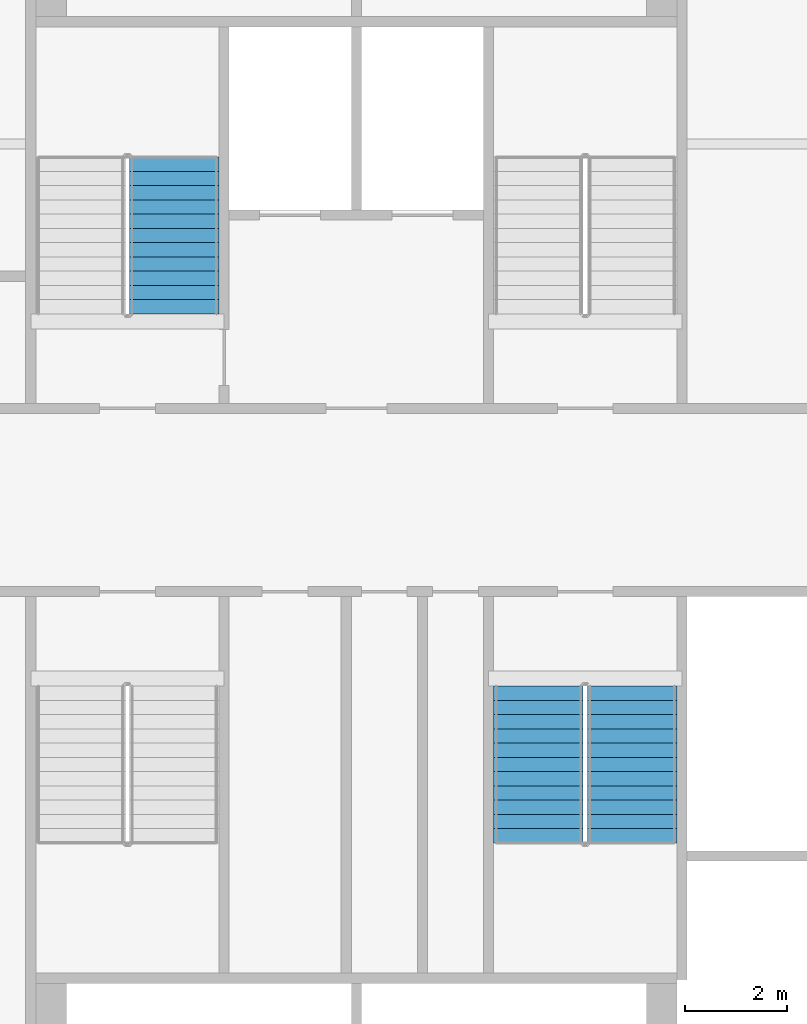
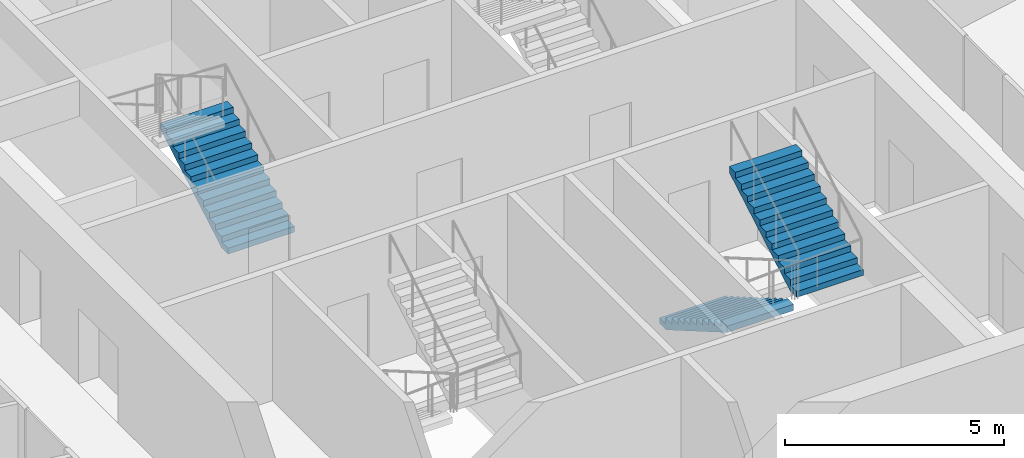
# One storey, part 8 of 11: 3 stair flights, 2 elements without a shape of their own.
"""IFC4 building model written with IfcOpenShell, lengths in metres."""

from ifc_helpers import new_model, si_unit, direction, frame, origin, place, context, subcontext, project, spatial, faceted_brep, material, type_object, element, aggregate, save


model = new_model("IFC4")

# Units and contexts
model_context = context("Model", 3, precision=1e-05, world=origin(), true_north=direction((0.0, 1.0)))
body_context = subcontext(model_context, "Body", "Model", "MODEL_VIEW")
ifc_project = project(units=[si_unit("LENGTHUNIT", "METRE"), si_unit("AREAUNIT", "SQUARE_METRE"), si_unit("VOLUMEUNIT", "CUBIC_METRE"), si_unit("PLANEANGLEUNIT", "RADIAN"), si_unit("MASSUNIT", "GRAM", prefix="KILO")], contexts=[model_context])

# Site, building, storey
site_placement = place(None, origin())
site = spatial("IfcSite", under=ifc_project, at=site_placement, CompositionType="ELEMENT")
building_placement = place(site_placement, origin())
building = spatial("IfcBuilding", under=site, at=building_placement, Name="Tarsis Ring Headquarters", CompositionType="ELEMENT")
storey_placement = place(building_placement, frame((0.0, 0.0, 243.300048828125)))
storey = spatial("IfcBuildingStorey", under=building, at=storey_placement, Name="L57", CompositionType="ELEMENT", Elevation=243.300048828125)

# Stair, stair flight
ifc_material_1 = material(Name="Core stair 1760")
stair_type = type_object("IfcStairType", Name="Core stair 1760", PredefinedType="HALF_TURN_STAIR", material=ifc_material_1)
stair_1_placement = place(storey_placement, origin())
stair_1 = element("IfcStair", 1, at=stair_1_placement, inside=storey, type_object=stair_type, Name="L57 Firefighting stair", PredefinedType="HALF_TURN_STAIR")
ifc_material_2 = material(Name="Concrete C40/50", Category="concrete")
stair_flight_type = type_object("IfcStairFlightType", Name="Core stair flight 1760", PredefinedType="STRAIGHT", material=ifc_material_2)
stair_flight_1_placement = place(storey_placement, frame((-3.580078125, 3.659912109375, 0.0), z_axis=(0.0, 0.0, 1.0), x_axis=(0.0, 1.0, 0.0)))
stair_flight_1 = element("IfcStairFlight", 2, at=stair_flight_1_placement, type_object=stair_flight_type, Name="Stair ST1 flight 1", NumberOfRisers=12, NumberOfTreads=11, PredefinedType="STRAIGHT", RiserHeight=0.1625, TreadLength=0.28, context=body_context, shape_type="Brep", body=[
    faceted_brep([(0.0, 0.8798828125, 0.0), (0.0, 0.8798828125, 0.16259765625), (0.280029296875, 0.8798828125, 0.16259765625), (0.280029296875, 0.8798828125, 0.324951171875), (0.56005859375, 0.8798828125, 0.324951171875), (0.56005859375, 0.8798828125, 0.487548828125), (0.840087890625, 0.8798828125, 0.487548828125), (0.840087890625, 0.8798828125, 0.64990234375), (1.1201171875, 0.8798828125, 0.64990234375), (1.1201171875, 0.8798828125, 0.8125), (1.39990234375, 0.8798828125, 0.8125), (1.39990234375, 0.8798828125, 0.97509765625), (1.679931640625, 0.8798828125, 0.97509765625), (1.679931640625, 0.8798828125, 1.137451171875), (1.9599609375, 0.8798828125, 1.137451171875), (1.9599609375, 0.8798828125, 1.300048828125), (2.239990234375, 0.8798828125, 1.300048828125), (2.239990234375, 0.8798828125, 1.46240234375), (2.52001953125, 0.8798828125, 1.46240234375), (2.52001953125, 0.8798828125, 1.625), (2.800048828125, 0.8798828125, 1.625), (2.800048828125, 0.8798828125, 1.78759765625), (3.080078125, 0.8798828125, 1.78759765625), (3.080078125, 0.8798828125, 1.6142578125), (0.298583984375, 0.8798828125, 0.0), (0.298583984375, -0.8798828125, 0.0), (3.080078125, -0.8798828125, 1.6142578125), (3.080078125, -0.8798828125, 1.78759765625), (2.800048828125, -0.8798828125, 1.78759765625), (2.800048828125, -0.8798828125, 1.625), (2.52001953125, -0.8798828125, 1.625), (2.52001953125, -0.8798828125, 1.46240234375), (2.239990234375, -0.8798828125, 1.46240234375), (2.239990234375, -0.8798828125, 1.300048828125), (1.9599609375, -0.8798828125, 1.300048828125), (1.9599609375, -0.8798828125, 1.137451171875), (1.679931640625, -0.8798828125, 1.137451171875), (1.679931640625, -0.8798828125, 0.97509765625), (1.39990234375, -0.8798828125, 0.97509765625), (1.39990234375, -0.8798828125, 0.8125), (1.1201171875, -0.8798828125, 0.8125), (1.1201171875, -0.8798828125, 0.64990234375), (0.840087890625, -0.8798828125, 0.64990234375), (0.840087890625, -0.8798828125, 0.487548828125), (0.56005859375, -0.8798828125, 0.487548828125), (0.56005859375, -0.8798828125, 0.324951171875), (0.280029296875, -0.8798828125, 0.324951171875), (0.280029296875, -0.8798828125, 0.16259765625), (0.0, -0.8798828125, 0.16259765625), (0.0, -0.8798828125, 0.0), (0.0, -0.43994140625, 0.16259765625), (0.0, -0.43994140625, 0.0), (0.0, 0.0, 0.16259765625), (0.0, 0.0, 0.0), (0.0, 0.43994140625, 0.16259765625), (0.0, 0.43994140625, 0.0), (0.280029296875, -0.43994140625, 0.16259765625), (0.280029296875, 0.0, 0.16259765625), (0.280029296875, 0.43994140625, 0.16259765625), (0.280029296875, -0.43994140625, 0.324951171875), (0.280029296875, 0.0, 0.324951171875), (0.280029296875, 0.43994140625, 0.324951171875), (0.56005859375, -0.43994140625, 0.324951171875), (0.56005859375, 0.0, 0.324951171875), (0.56005859375, 0.43994140625, 0.324951171875), (0.56005859375, -0.43994140625, 0.487548828125), (0.56005859375, 0.0, 0.487548828125), (0.56005859375, 0.43994140625, 0.487548828125), (0.840087890625, -0.43994140625, 0.487548828125), (0.840087890625, 0.0, 0.487548828125), (0.840087890625, 0.43994140625, 0.487548828125), (0.840087890625, -0.43994140625, 0.64990234375), (0.840087890625, 0.0, 0.64990234375), (0.840087890625, 0.43994140625, 0.64990234375), (1.1201171875, -0.43994140625, 0.64990234375), (1.1201171875, 0.0, 0.64990234375), (1.1201171875, 0.43994140625, 0.64990234375), (1.1201171875, -0.43994140625, 0.8125), (1.1201171875, 0.0, 0.8125), (1.1201171875, 0.43994140625, 0.8125), (1.39990234375, -0.43994140625, 0.8125), (1.39990234375, 0.0, 0.8125), (1.39990234375, 0.43994140625, 0.8125), (1.39990234375, -0.43994140625, 0.97509765625), (1.39990234375, 0.0, 0.97509765625), (1.39990234375, 0.43994140625, 0.97509765625), (1.679931640625, -0.43994140625, 0.97509765625), (1.679931640625, 0.0, 0.97509765625), (1.679931640625, 0.43994140625, 0.97509765625), (1.679931640625, -0.43994140625, 1.137451171875), (1.679931640625, 0.0, 1.137451171875), (1.679931640625, 0.43994140625, 1.137451171875), (1.9599609375, -0.43994140625, 1.137451171875), (1.9599609375, 0.0, 1.137451171875), (1.9599609375, 0.43994140625, 1.137451171875), (1.9599609375, -0.43994140625, 1.300048828125), (1.9599609375, 0.0, 1.300048828125), (1.9599609375, 0.43994140625, 1.300048828125), (2.239990234375, -0.43994140625, 1.300048828125), (2.239990234375, 0.0, 1.300048828125), (2.239990234375, 0.43994140625, 1.300048828125), (2.239990234375, -0.43994140625, 1.46240234375), (2.239990234375, 0.0, 1.46240234375), (2.239990234375, 0.43994140625, 1.46240234375), (2.52001953125, -0.43994140625, 1.46240234375), (2.52001953125, 0.0, 1.46240234375), (2.52001953125, 0.43994140625, 1.46240234375), (2.52001953125, -0.43994140625, 1.625), (2.52001953125, 0.0, 1.625), (2.52001953125, 0.43994140625, 1.625), (2.800048828125, -0.43994140625, 1.625), (2.800048828125, 0.0, 1.625), (2.800048828125, 0.43994140625, 1.625), (2.800048828125, -0.43994140625, 1.78759765625), (2.800048828125, 0.0, 1.78759765625), (2.800048828125, 0.43994140625, 1.78759765625), (3.080078125, -0.43994140625, 1.78759765625), (3.080078125, 0.0, 1.78759765625), (3.080078125, 0.43994140625, 1.78759765625), (3.080078125, -0.43994140625, 1.6142578125), (3.080078125, 0.0, 1.6142578125), (3.080078125, 0.43994140625, 1.6142578125), (0.298583984375, -0.43994140625, 0.0), (0.298583984375, 0.0, 0.0), (0.298583984375, 0.43994140625, 0.0)], [[[0, 1, 2, 3, 4, 5, 6, 7, 8, 9, 10, 11, 12, 13, 14, 15, 16, 17, 18, 19, 20, 21, 22, 23, 24]], [[25, 26, 27, 28, 29, 30, 31, 32, 33, 34, 35, 36, 37, 38, 39, 40, 41, 42, 43, 44, 45, 46, 47, 48, 49]], [[49, 48, 50, 51]], [[51, 50, 52, 53]], [[53, 52, 54, 55]], [[55, 54, 1, 0]], [[48, 47, 56, 50]], [[50, 56, 57, 52]], [[52, 57, 58, 54]], [[54, 58, 2, 1]], [[47, 46, 59, 56]], [[56, 59, 60, 57]], [[57, 60, 61, 58]], [[58, 61, 3, 2]], [[46, 45, 62, 59]], [[59, 62, 63, 60]], [[60, 63, 64, 61]], [[61, 64, 4, 3]], [[45, 44, 65, 62]], [[62, 65, 66, 63]], [[63, 66, 67, 64]], [[64, 67, 5, 4]], [[44, 43, 68, 65]], [[65, 68, 69, 66]], [[66, 69, 70, 67]], [[67, 70, 6, 5]], [[43, 42, 71, 68]], [[68, 71, 72, 69]], [[69, 72, 73, 70]], [[70, 73, 7, 6]], [[42, 41, 74, 71]], [[71, 74, 75, 72]], [[72, 75, 76, 73]], [[73, 76, 8, 7]], [[41, 40, 77, 74]], [[74, 77, 78, 75]], [[75, 78, 79, 76]], [[76, 79, 9, 8]], [[40, 39, 80, 77]], [[77, 80, 81, 78]], [[78, 81, 82, 79]], [[79, 82, 10, 9]], [[39, 38, 83, 80]], [[80, 83, 84, 81]], [[81, 84, 85, 82]], [[82, 85, 11, 10]], [[38, 37, 86, 83]], [[83, 86, 87, 84]], [[84, 87, 88, 85]], [[85, 88, 12, 11]], [[37, 36, 89, 86]], [[86, 89, 90, 87]], [[87, 90, 91, 88]], [[88, 91, 13, 12]], [[36, 35, 92, 89]], [[89, 92, 93, 90]], [[90, 93, 94, 91]], [[91, 94, 14, 13]], [[35, 34, 95, 92]], [[92, 95, 96, 93]], [[93, 96, 97, 94]], [[94, 97, 15, 14]], [[34, 33, 98, 95]], [[95, 98, 99, 96]], [[96, 99, 100, 97]], [[97, 100, 16, 15]], [[33, 32, 101, 98]], [[98, 101, 102, 99]], [[99, 102, 103, 100]], [[100, 103, 17, 16]], [[32, 31, 104, 101]], [[101, 104, 105, 102]], [[102, 105, 106, 103]], [[103, 106, 18, 17]], [[31, 30, 107, 104]], [[104, 107, 108, 105]], [[105, 108, 109, 106]], [[106, 109, 19, 18]], [[30, 29, 110, 107]], [[107, 110, 111, 108]], [[108, 111, 112, 109]], [[109, 112, 20, 19]], [[29, 28, 113, 110]], [[110, 113, 114, 111]], [[111, 114, 115, 112]], [[112, 115, 21, 20]], [[28, 27, 116, 113]], [[113, 116, 117, 114]], [[114, 117, 118, 115]], [[115, 118, 22, 21]], [[27, 26, 119, 116]], [[116, 119, 120, 117]], [[117, 120, 121, 118]], [[118, 121, 23, 22]], [[26, 25, 122, 119]], [[119, 122, 123, 120]], [[120, 123, 124, 121]], [[121, 124, 24, 23]], [[25, 49, 51, 122]], [[122, 51, 53, 123]], [[123, 53, 55, 124]], [[124, 55, 0, 24]]]),
])
aggregate(stair_1, [stair_flight_1])

# Stair, stair flights
stair_2_placement = place(storey_placement, origin())
stair_2 = element("IfcStair", 3, at=stair_2_placement, inside=storey, type_object=stair_type, Name="L57 Exit stair D", PredefinedType="HALF_TURN_STAIR")
stair_flight_2_placement = place(storey_placement, frame((3.580078125, -3.659912109375, 0.0), z_axis=(0.0, 0.0, 1.0), x_axis=(0.0, -1.0, 0.0)))
stair_flight_2 = element("IfcStairFlight", 4, at=stair_flight_2_placement, type_object=stair_flight_type, Name="Stair ST4 flight 1", NumberOfRisers=12, NumberOfTreads=11, PredefinedType="STRAIGHT", RiserHeight=0.1625, TreadLength=0.28, context=body_context, shape_type="Brep", body=[
    faceted_brep([(0.0, 0.8798828125, 0.0), (0.0, 0.8798828125, 0.16259765625), (0.280029296875, 0.8798828125, 0.16259765625), (0.280029296875, 0.8798828125, 0.324951171875), (0.56005859375, 0.8798828125, 0.324951171875), (0.56005859375, 0.8798828125, 0.487548828125), (0.840087890625, 0.8798828125, 0.487548828125), (0.840087890625, 0.8798828125, 0.64990234375), (1.1201171875, 0.8798828125, 0.64990234375), (1.1201171875, 0.8798828125, 0.8125), (1.39990234375, 0.8798828125, 0.8125), (1.39990234375, 0.8798828125, 0.97509765625), (1.679931640625, 0.8798828125, 0.97509765625), (1.679931640625, 0.8798828125, 1.137451171875), (1.9599609375, 0.8798828125, 1.137451171875), (1.9599609375, 0.8798828125, 1.300048828125), (2.239990234375, 0.8798828125, 1.300048828125), (2.239990234375, 0.8798828125, 1.46240234375), (2.52001953125, 0.8798828125, 1.46240234375), (2.52001953125, 0.8798828125, 1.625), (2.800048828125, 0.8798828125, 1.625), (2.800048828125, 0.8798828125, 1.78759765625), (3.080078125, 0.8798828125, 1.78759765625), (3.080078125, 0.8798828125, 1.6142578125), (0.298583984375, 0.8798828125, 0.0), (0.298583984375, -0.8798828125, 0.0), (3.080078125, -0.8798828125, 1.6142578125), (3.080078125, -0.8798828125, 1.78759765625), (2.800048828125, -0.8798828125, 1.78759765625), (2.800048828125, -0.8798828125, 1.625), (2.52001953125, -0.8798828125, 1.625), (2.52001953125, -0.8798828125, 1.46240234375), (2.239990234375, -0.8798828125, 1.46240234375), (2.239990234375, -0.8798828125, 1.300048828125), (1.9599609375, -0.8798828125, 1.300048828125), (1.9599609375, -0.8798828125, 1.137451171875), (1.679931640625, -0.8798828125, 1.137451171875), (1.679931640625, -0.8798828125, 0.97509765625), (1.39990234375, -0.8798828125, 0.97509765625), (1.39990234375, -0.8798828125, 0.8125), (1.1201171875, -0.8798828125, 0.8125), (1.1201171875, -0.8798828125, 0.64990234375), (0.840087890625, -0.8798828125, 0.64990234375), (0.840087890625, -0.8798828125, 0.487548828125), (0.56005859375, -0.8798828125, 0.487548828125), (0.56005859375, -0.8798828125, 0.324951171875), (0.280029296875, -0.8798828125, 0.324951171875), (0.280029296875, -0.8798828125, 0.16259765625), (0.0, -0.8798828125, 0.16259765625), (0.0, -0.8798828125, 0.0), (0.0, -0.43994140625, 0.16259765625), (0.0, -0.43994140625, 0.0), (0.0, 0.0, 0.16259765625), (0.0, 0.0, 0.0), (0.0, 0.43994140625, 0.16259765625), (0.0, 0.43994140625, 0.0), (0.280029296875, -0.43994140625, 0.16259765625), (0.280029296875, 0.0, 0.16259765625), (0.280029296875, 0.43994140625, 0.16259765625), (0.280029296875, -0.43994140625, 0.324951171875), (0.280029296875, 0.0, 0.324951171875), (0.280029296875, 0.43994140625, 0.324951171875), (0.56005859375, -0.43994140625, 0.324951171875), (0.56005859375, 0.0, 0.324951171875), (0.56005859375, 0.43994140625, 0.324951171875), (0.56005859375, -0.43994140625, 0.487548828125), (0.56005859375, 0.0, 0.487548828125), (0.56005859375, 0.43994140625, 0.487548828125), (0.840087890625, -0.43994140625, 0.487548828125), (0.840087890625, 0.0, 0.487548828125), (0.840087890625, 0.43994140625, 0.487548828125), (0.840087890625, -0.43994140625, 0.64990234375), (0.840087890625, 0.0, 0.64990234375), (0.840087890625, 0.43994140625, 0.64990234375), (1.1201171875, -0.43994140625, 0.64990234375), (1.1201171875, 0.0, 0.64990234375), (1.1201171875, 0.43994140625, 0.64990234375), (1.1201171875, -0.43994140625, 0.8125), (1.1201171875, 0.0, 0.8125), (1.1201171875, 0.43994140625, 0.8125), (1.39990234375, -0.43994140625, 0.8125), (1.39990234375, 0.0, 0.8125), (1.39990234375, 0.43994140625, 0.8125), (1.39990234375, -0.43994140625, 0.97509765625), (1.39990234375, 0.0, 0.97509765625), (1.39990234375, 0.43994140625, 0.97509765625), (1.679931640625, -0.43994140625, 0.97509765625), (1.679931640625, 0.0, 0.97509765625), (1.679931640625, 0.43994140625, 0.97509765625), (1.679931640625, -0.43994140625, 1.137451171875), (1.679931640625, 0.0, 1.137451171875), (1.679931640625, 0.43994140625, 1.137451171875), (1.9599609375, -0.43994140625, 1.137451171875), (1.9599609375, 0.0, 1.137451171875), (1.9599609375, 0.43994140625, 1.137451171875), (1.9599609375, -0.43994140625, 1.300048828125), (1.9599609375, 0.0, 1.300048828125), (1.9599609375, 0.43994140625, 1.300048828125), (2.239990234375, -0.43994140625, 1.300048828125), (2.239990234375, 0.0, 1.300048828125), (2.239990234375, 0.43994140625, 1.300048828125), (2.239990234375, -0.43994140625, 1.46240234375), (2.239990234375, 0.0, 1.46240234375), (2.239990234375, 0.43994140625, 1.46240234375), (2.52001953125, -0.43994140625, 1.46240234375), (2.52001953125, 0.0, 1.46240234375), (2.52001953125, 0.43994140625, 1.46240234375), (2.52001953125, -0.43994140625, 1.625), (2.52001953125, 0.0, 1.625), (2.52001953125, 0.43994140625, 1.625), (2.800048828125, -0.43994140625, 1.625), (2.800048828125, 0.0, 1.625), (2.800048828125, 0.43994140625, 1.625), (2.800048828125, -0.43994140625, 1.78759765625), (2.800048828125, 0.0, 1.78759765625), (2.800048828125, 0.43994140625, 1.78759765625), (3.080078125, -0.43994140625, 1.78759765625), (3.080078125, 0.0, 1.78759765625), (3.080078125, 0.43994140625, 1.78759765625), (3.080078125, -0.43994140625, 1.6142578125), (3.080078125, 0.0, 1.6142578125), (3.080078125, 0.43994140625, 1.6142578125), (0.298583984375, -0.43994140625, 0.0), (0.298583984375, 0.0, 0.0), (0.298583984375, 0.43994140625, 0.0)], [[[0, 1, 2, 3, 4, 5, 6, 7, 8, 9, 10, 11, 12, 13, 14, 15, 16, 17, 18, 19, 20, 21, 22, 23, 24]], [[25, 26, 27, 28, 29, 30, 31, 32, 33, 34, 35, 36, 37, 38, 39, 40, 41, 42, 43, 44, 45, 46, 47, 48, 49]], [[49, 48, 50, 51]], [[51, 50, 52, 53]], [[53, 52, 54, 55]], [[55, 54, 1, 0]], [[48, 47, 56, 50]], [[50, 56, 57, 52]], [[52, 57, 58, 54]], [[54, 58, 2, 1]], [[47, 46, 59, 56]], [[56, 59, 60, 57]], [[57, 60, 61, 58]], [[58, 61, 3, 2]], [[46, 45, 62, 59]], [[59, 62, 63, 60]], [[60, 63, 64, 61]], [[61, 64, 4, 3]], [[45, 44, 65, 62]], [[62, 65, 66, 63]], [[63, 66, 67, 64]], [[64, 67, 5, 4]], [[44, 43, 68, 65]], [[65, 68, 69, 66]], [[66, 69, 70, 67]], [[67, 70, 6, 5]], [[43, 42, 71, 68]], [[68, 71, 72, 69]], [[69, 72, 73, 70]], [[70, 73, 7, 6]], [[42, 41, 74, 71]], [[71, 74, 75, 72]], [[72, 75, 76, 73]], [[73, 76, 8, 7]], [[41, 40, 77, 74]], [[74, 77, 78, 75]], [[75, 78, 79, 76]], [[76, 79, 9, 8]], [[40, 39, 80, 77]], [[77, 80, 81, 78]], [[78, 81, 82, 79]], [[79, 82, 10, 9]], [[39, 38, 83, 80]], [[80, 83, 84, 81]], [[81, 84, 85, 82]], [[82, 85, 11, 10]], [[38, 37, 86, 83]], [[83, 86, 87, 84]], [[84, 87, 88, 85]], [[85, 88, 12, 11]], [[37, 36, 89, 86]], [[86, 89, 90, 87]], [[87, 90, 91, 88]], [[88, 91, 13, 12]], [[36, 35, 92, 89]], [[89, 92, 93, 90]], [[90, 93, 94, 91]], [[91, 94, 14, 13]], [[35, 34, 95, 92]], [[92, 95, 96, 93]], [[93, 96, 97, 94]], [[94, 97, 15, 14]], [[34, 33, 98, 95]], [[95, 98, 99, 96]], [[96, 99, 100, 97]], [[97, 100, 16, 15]], [[33, 32, 101, 98]], [[98, 101, 102, 99]], [[99, 102, 103, 100]], [[100, 103, 17, 16]], [[32, 31, 104, 101]], [[101, 104, 105, 102]], [[102, 105, 106, 103]], [[103, 106, 18, 17]], [[31, 30, 107, 104]], [[104, 107, 108, 105]], [[105, 108, 109, 106]], [[106, 109, 19, 18]], [[30, 29, 110, 107]], [[107, 110, 111, 108]], [[108, 111, 112, 109]], [[109, 112, 20, 19]], [[29, 28, 113, 110]], [[110, 113, 114, 111]], [[111, 114, 115, 112]], [[112, 115, 21, 20]], [[28, 27, 116, 113]], [[113, 116, 117, 114]], [[114, 117, 118, 115]], [[115, 118, 22, 21]], [[27, 26, 119, 116]], [[116, 119, 120, 117]], [[117, 120, 121, 118]], [[118, 121, 23, 22]], [[26, 25, 122, 119]], [[119, 122, 123, 120]], [[120, 123, 124, 121]], [[121, 124, 24, 23]], [[25, 49, 51, 122]], [[122, 51, 53, 123]], [[123, 53, 55, 124]], [[124, 55, 0, 24]]]),
])
stair_flight_3_placement = place(storey_placement, frame((5.419921875, -6.739990234375, 1.949951171875), z_axis=(0.0, 0.0, 1.0), x_axis=(0.0, 1.0, 0.0)))
stair_flight_3 = element("IfcStairFlight", 5, at=stair_flight_3_placement, type_object=stair_flight_type, Name="Stair ST4 flight 2", NumberOfRisers=12, NumberOfTreads=11, PredefinedType="STRAIGHT", RiserHeight=0.1625, TreadLength=0.28, context=body_context, shape_type="Brep", body=[
    faceted_brep([(0.0, 0.8798828125, 0.0), (0.0, 0.8798828125, 0.16259765625), (0.280029296875, 0.8798828125, 0.16259765625), (0.280029296875, 0.8798828125, 0.324951171875), (0.56005859375, 0.8798828125, 0.324951171875), (0.56005859375, 0.8798828125, 0.487548828125), (0.840087890625, 0.8798828125, 0.487548828125), (0.840087890625, 0.8798828125, 0.64990234375), (1.1201171875, 0.8798828125, 0.64990234375), (1.1201171875, 0.8798828125, 0.8125), (1.39990234375, 0.8798828125, 0.8125), (1.39990234375, 0.8798828125, 0.97509765625), (1.679931640625, 0.8798828125, 0.97509765625), (1.679931640625, 0.8798828125, 1.137451171875), (1.9599609375, 0.8798828125, 1.137451171875), (1.9599609375, 0.8798828125, 1.300048828125), (2.239990234375, 0.8798828125, 1.300048828125), (2.239990234375, 0.8798828125, 1.46240234375), (2.52001953125, 0.8798828125, 1.46240234375), (2.52001953125, 0.8798828125, 1.625), (2.800048828125, 0.8798828125, 1.625), (2.800048828125, 0.8798828125, 1.78759765625), (3.080078125, 0.8798828125, 1.78759765625), (3.080078125, 0.8798828125, 1.6142578125), (0.298583984375, 0.8798828125, 0.0), (0.298583984375, -0.8798828125, 0.0), (3.080078125, -0.8798828125, 1.6142578125), (3.080078125, -0.8798828125, 1.78759765625), (2.800048828125, -0.8798828125, 1.78759765625), (2.800048828125, -0.8798828125, 1.625), (2.52001953125, -0.8798828125, 1.625), (2.52001953125, -0.8798828125, 1.46240234375), (2.239990234375, -0.8798828125, 1.46240234375), (2.239990234375, -0.8798828125, 1.300048828125), (1.9599609375, -0.8798828125, 1.300048828125), (1.9599609375, -0.8798828125, 1.137451171875), (1.679931640625, -0.8798828125, 1.137451171875), (1.679931640625, -0.8798828125, 0.97509765625), (1.39990234375, -0.8798828125, 0.97509765625), (1.39990234375, -0.8798828125, 0.8125), (1.1201171875, -0.8798828125, 0.8125), (1.1201171875, -0.8798828125, 0.64990234375), (0.840087890625, -0.8798828125, 0.64990234375), (0.840087890625, -0.8798828125, 0.487548828125), (0.56005859375, -0.8798828125, 0.487548828125), (0.56005859375, -0.8798828125, 0.324951171875), (0.280029296875, -0.8798828125, 0.324951171875), (0.280029296875, -0.8798828125, 0.16259765625), (0.0, -0.8798828125, 0.16259765625), (0.0, -0.8798828125, 0.0), (0.0, -0.43994140625, 0.16259765625), (0.0, -0.43994140625, 0.0), (0.0, 0.0, 0.16259765625), (0.0, 0.0, 0.0), (0.0, 0.43994140625, 0.16259765625), (0.0, 0.43994140625, 0.0), (0.280029296875, -0.43994140625, 0.16259765625), (0.280029296875, 0.0, 0.16259765625), (0.280029296875, 0.43994140625, 0.16259765625), (0.280029296875, -0.43994140625, 0.324951171875), (0.280029296875, 0.0, 0.324951171875), (0.280029296875, 0.43994140625, 0.324951171875), (0.56005859375, -0.43994140625, 0.324951171875), (0.56005859375, 0.0, 0.324951171875), (0.56005859375, 0.43994140625, 0.324951171875), (0.56005859375, -0.43994140625, 0.487548828125), (0.56005859375, 0.0, 0.487548828125), (0.56005859375, 0.43994140625, 0.487548828125), (0.840087890625, -0.43994140625, 0.487548828125), (0.840087890625, 0.0, 0.487548828125), (0.840087890625, 0.43994140625, 0.487548828125), (0.840087890625, -0.43994140625, 0.64990234375), (0.840087890625, 0.0, 0.64990234375), (0.840087890625, 0.43994140625, 0.64990234375), (1.1201171875, -0.43994140625, 0.64990234375), (1.1201171875, 0.0, 0.64990234375), (1.1201171875, 0.43994140625, 0.64990234375), (1.1201171875, -0.43994140625, 0.8125), (1.1201171875, 0.0, 0.8125), (1.1201171875, 0.43994140625, 0.8125), (1.39990234375, -0.43994140625, 0.8125), (1.39990234375, 0.0, 0.8125), (1.39990234375, 0.43994140625, 0.8125), (1.39990234375, -0.43994140625, 0.97509765625), (1.39990234375, 0.0, 0.97509765625), (1.39990234375, 0.43994140625, 0.97509765625), (1.679931640625, -0.43994140625, 0.97509765625), (1.679931640625, 0.0, 0.97509765625), (1.679931640625, 0.43994140625, 0.97509765625), (1.679931640625, -0.43994140625, 1.137451171875), (1.679931640625, 0.0, 1.137451171875), (1.679931640625, 0.43994140625, 1.137451171875), (1.9599609375, -0.43994140625, 1.137451171875), (1.9599609375, 0.0, 1.137451171875), (1.9599609375, 0.43994140625, 1.137451171875), (1.9599609375, -0.43994140625, 1.300048828125), (1.9599609375, 0.0, 1.300048828125), (1.9599609375, 0.43994140625, 1.300048828125), (2.239990234375, -0.43994140625, 1.300048828125), (2.239990234375, 0.0, 1.300048828125), (2.239990234375, 0.43994140625, 1.300048828125), (2.239990234375, -0.43994140625, 1.46240234375), (2.239990234375, 0.0, 1.46240234375), (2.239990234375, 0.43994140625, 1.46240234375), (2.52001953125, -0.43994140625, 1.46240234375), (2.52001953125, 0.0, 1.46240234375), (2.52001953125, 0.43994140625, 1.46240234375), (2.52001953125, -0.43994140625, 1.625), (2.52001953125, 0.0, 1.625), (2.52001953125, 0.43994140625, 1.625), (2.800048828125, -0.43994140625, 1.625), (2.800048828125, 0.0, 1.625), (2.800048828125, 0.43994140625, 1.625), (2.800048828125, -0.43994140625, 1.78759765625), (2.800048828125, 0.0, 1.78759765625), (2.800048828125, 0.43994140625, 1.78759765625), (3.080078125, -0.43994140625, 1.78759765625), (3.080078125, 0.0, 1.78759765625), (3.080078125, 0.43994140625, 1.78759765625), (3.080078125, -0.43994140625, 1.6142578125), (3.080078125, 0.0, 1.6142578125), (3.080078125, 0.43994140625, 1.6142578125), (0.298583984375, -0.43994140625, 0.0), (0.298583984375, 0.0, 0.0), (0.298583984375, 0.43994140625, 0.0)], [[[0, 1, 2, 3, 4, 5, 6, 7, 8, 9, 10, 11, 12, 13, 14, 15, 16, 17, 18, 19, 20, 21, 22, 23, 24]], [[25, 26, 27, 28, 29, 30, 31, 32, 33, 34, 35, 36, 37, 38, 39, 40, 41, 42, 43, 44, 45, 46, 47, 48, 49]], [[49, 48, 50, 51]], [[51, 50, 52, 53]], [[53, 52, 54, 55]], [[55, 54, 1, 0]], [[48, 47, 56, 50]], [[50, 56, 57, 52]], [[52, 57, 58, 54]], [[54, 58, 2, 1]], [[47, 46, 59, 56]], [[56, 59, 60, 57]], [[57, 60, 61, 58]], [[58, 61, 3, 2]], [[46, 45, 62, 59]], [[59, 62, 63, 60]], [[60, 63, 64, 61]], [[61, 64, 4, 3]], [[45, 44, 65, 62]], [[62, 65, 66, 63]], [[63, 66, 67, 64]], [[64, 67, 5, 4]], [[44, 43, 68, 65]], [[65, 68, 69, 66]], [[66, 69, 70, 67]], [[67, 70, 6, 5]], [[43, 42, 71, 68]], [[68, 71, 72, 69]], [[69, 72, 73, 70]], [[70, 73, 7, 6]], [[42, 41, 74, 71]], [[71, 74, 75, 72]], [[72, 75, 76, 73]], [[73, 76, 8, 7]], [[41, 40, 77, 74]], [[74, 77, 78, 75]], [[75, 78, 79, 76]], [[76, 79, 9, 8]], [[40, 39, 80, 77]], [[77, 80, 81, 78]], [[78, 81, 82, 79]], [[79, 82, 10, 9]], [[39, 38, 83, 80]], [[80, 83, 84, 81]], [[81, 84, 85, 82]], [[82, 85, 11, 10]], [[38, 37, 86, 83]], [[83, 86, 87, 84]], [[84, 87, 88, 85]], [[85, 88, 12, 11]], [[37, 36, 89, 86]], [[86, 89, 90, 87]], [[87, 90, 91, 88]], [[88, 91, 13, 12]], [[36, 35, 92, 89]], [[89, 92, 93, 90]], [[90, 93, 94, 91]], [[91, 94, 14, 13]], [[35, 34, 95, 92]], [[92, 95, 96, 93]], [[93, 96, 97, 94]], [[94, 97, 15, 14]], [[34, 33, 98, 95]], [[95, 98, 99, 96]], [[96, 99, 100, 97]], [[97, 100, 16, 15]], [[33, 32, 101, 98]], [[98, 101, 102, 99]], [[99, 102, 103, 100]], [[100, 103, 17, 16]], [[32, 31, 104, 101]], [[101, 104, 105, 102]], [[102, 105, 106, 103]], [[103, 106, 18, 17]], [[31, 30, 107, 104]], [[104, 107, 108, 105]], [[105, 108, 109, 106]], [[106, 109, 19, 18]], [[30, 29, 110, 107]], [[107, 110, 111, 108]], [[108, 111, 112, 109]], [[109, 112, 20, 19]], [[29, 28, 113, 110]], [[110, 113, 114, 111]], [[111, 114, 115, 112]], [[112, 115, 21, 20]], [[28, 27, 116, 113]], [[113, 116, 117, 114]], [[114, 117, 118, 115]], [[115, 118, 22, 21]], [[27, 26, 119, 116]], [[116, 119, 120, 117]], [[117, 120, 121, 118]], [[118, 121, 23, 22]], [[26, 25, 122, 119]], [[119, 122, 123, 120]], [[120, 123, 124, 121]], [[121, 124, 24, 23]], [[25, 49, 51, 122]], [[122, 51, 53, 123]], [[123, 53, 55, 124]], [[124, 55, 0, 24]]]),
])
aggregate(stair_2, [stair_flight_2, stair_flight_3])

save(model, "model.ifc")
